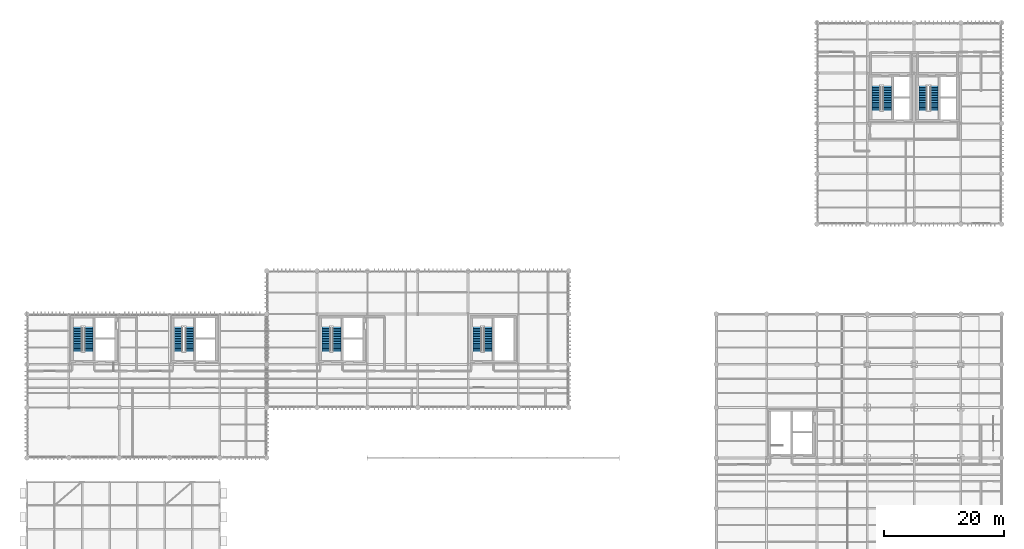
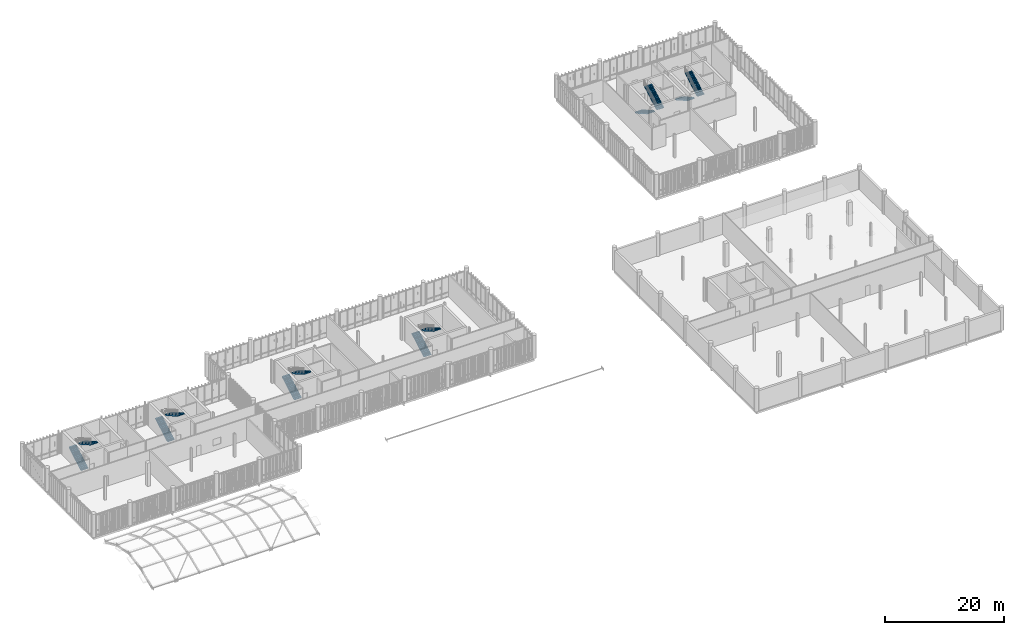
# One storey, part 83 of 94: 12 stair flights, 6 elements without a shape of their own.
"""IFC4 building model written with IfcOpenShell, lengths in metres."""

from ifc_helpers import new_model, si_unit, direction, frame, origin_with_axes, place, context, subcontext, project, spatial, polyline, outline, extrude, material, type_object, element, aggregate, save


model = new_model("IFC4")

# Units and contexts
model_context = context("Model", 3, precision=1e-05, world=origin_with_axes(), true_north=direction((0.0, 1.0)))
body_context = subcontext(model_context, "Body", "Model", "MODEL_VIEW")
ifc_project = project(units=[si_unit("LENGTHUNIT", "METRE"), si_unit("AREAUNIT", "SQUARE_METRE"), si_unit("VOLUMEUNIT", "CUBIC_METRE"), si_unit("PLANEANGLEUNIT", "RADIAN"), si_unit("MASSUNIT", "GRAM", prefix="KILO"), si_unit("THERMODYNAMICTEMPERATUREUNIT", "KELVIN")], contexts=[model_context])

# Site, building, storey
site_placement = place(None, origin_with_axes())
site = spatial("IfcSite", under=ifc_project, at=site_placement, CompositionType="ELEMENT")
building_placement = place(site_placement, origin_with_axes())
building = spatial("IfcBuilding", under=site, at=building_placement, Name="Montbau Bow Law Courts", CompositionType="ELEMENT")
storey_placement = place(building_placement, frame((0.0, 0.0, 15.6), z_axis=(0.0, 0.0, 1.0), x_axis=(1.0, 0.0, 0.0)))
storey = spatial("IfcBuildingStorey", under=building, at=storey_placement, Name="L03", CompositionType="ELEMENT", Elevation=15.6)

# Stair, stair flights
ifc_material = material(Name="Concrete CSA A23.1 f'c 40 MPa", Category="concrete")
stair_type_1 = type_object("IfcStairType", Name="ST-JUD-1500", PredefinedType="HALF_TURN_STAIR", material=ifc_material)
stair_1_placement = place(None, frame((32.065, 48.3, 15.6), z_axis=(0.0, 0.0, 1.0), x_axis=(1.0, 0.0, 0.0)))
stair_1 = element("IfcStair", 1, at=stair_1_placement, inside=storey, type_object=stair_type_1, Name="ST-J1-L03:str_0013", PredefinedType="HALF_TURN_STAIR")
stair_flight_type_1 = type_object("IfcStairFlightType", Name="SF-RC-1500B", PredefinedType="STRAIGHT", material=ifc_material)
stair_flight_1_placement = place(None, frame((32.065, 48.3, 15.6), z_axis=(0.0, 0.0, 1.0), x_axis=(0.0, 1.0, 0.0)))
stair_flight_1 = element("IfcStairFlight", 2, at=stair_flight_1_placement, type_object=stair_flight_type_1, Name="ST-J1-L03-F1:str_0013_F1", NumberOfRisers=15, NumberOfTreads=14, PredefinedType="STRAIGHT", RiserHeight=0.16, TreadLength=0.28, context=body_context, shape_type="SweptSolid", body=[
    extrude(outline(polyline([(0.0, 0.0), (0.0, 0.16), (0.28, 0.16), (0.28, 0.32), (0.56, 0.32), (0.56, 0.48), (0.84, 0.48), (0.84, 0.64), (1.12, 0.64), (1.12, 0.8), (1.4, 0.8), (1.4, 0.96), (1.68, 0.96), (1.68, 1.12), (1.96, 1.12), (1.96, 1.28), (2.24, 1.28), (2.24, 1.44), (2.52, 1.44), (2.52, 1.6), (2.8, 1.6), (2.8, 1.76), (3.08, 1.76), (3.08, 1.92), (3.36, 1.92), (3.36, 2.08), (3.64, 2.08), (3.64, 2.24), (3.92, 2.24), (3.92, 2.4), (4.2, 2.4), (4.2, 2.192685), (0.362802, 0.0), (0.0, 0.0)])), frame((0.0, 0.67, 0.0), z_axis=(0.0, -1.0, 0.0), x_axis=(1.0, 0.0, 0.0)), (0.0, 0.0, 1.0), 1.34),
])
stair_flight_2_placement = place(None, frame((33.96, 52.5, 18.0), z_axis=(0.0, 0.0, 1.0), x_axis=(0.0, -1.0, 0.0)))
stair_flight_2 = element("IfcStairFlight", 3, at=stair_flight_2_placement, type_object=stair_flight_type_1, Name="ST-J1-L03-F2:str_0013_F2", NumberOfRisers=15, NumberOfTreads=14, PredefinedType="STRAIGHT", RiserHeight=0.16, TreadLength=0.28, context=body_context, shape_type="SweptSolid", body=[
    extrude(outline(polyline([(0.0, 0.0), (0.0, 0.16), (0.28, 0.16), (0.28, 0.32), (0.56, 0.32), (0.56, 0.48), (0.84, 0.48), (0.84, 0.64), (1.12, 0.64), (1.12, 0.8), (1.4, 0.8), (1.4, 0.96), (1.68, 0.96), (1.68, 1.12), (1.96, 1.12), (1.96, 1.28), (2.24, 1.28), (2.24, 1.44), (2.52, 1.44), (2.52, 1.6), (2.8, 1.6), (2.8, 1.76), (3.08, 1.76), (3.08, 1.92), (3.36, 1.92), (3.36, 2.08), (3.64, 2.08), (3.64, 2.24), (3.92, 2.24), (3.92, 2.4), (4.2, 2.4), (4.2, 2.192685), (0.362802, 0.0), (0.0, 0.0)])), frame((0.0, 0.67, 0.0), z_axis=(0.0, -1.0, 0.0), x_axis=(1.0, 0.0, 0.0)), (0.0, 0.0, 1.0), 1.34),
])
aggregate(stair_1, [stair_flight_1, stair_flight_2])

stair_2_placement = place(None, frame((156.265, 92.7, 15.6), z_axis=(0.0, 0.0, 1.0), x_axis=(1.0, 0.0, 0.0)))
stair_2 = element("IfcStair", 4, at=stair_2_placement, inside=storey, type_object=stair_type_1, Name="ST-J2-L03:str_0048", PredefinedType="HALF_TURN_STAIR")
stair_flight_3_placement = place(None, frame((156.265, 92.7, 15.6), z_axis=(0.0, 0.0, 1.0), x_axis=(0.0, -1.0, 0.0)))
stair_flight_3 = element("IfcStairFlight", 5, at=stair_flight_3_placement, type_object=stair_flight_type_1, Name="ST-J2-L03-F1:str_0048_F1", NumberOfRisers=15, NumberOfTreads=14, PredefinedType="STRAIGHT", RiserHeight=0.16, TreadLength=0.28, context=body_context, shape_type="SweptSolid", body=[
    extrude(outline(polyline([(0.0, 0.0), (0.0, 0.16), (0.28, 0.16), (0.28, 0.32), (0.56, 0.32), (0.56, 0.48), (0.84, 0.48), (0.84, 0.64), (1.12, 0.64), (1.12, 0.8), (1.4, 0.8), (1.4, 0.96), (1.68, 0.96), (1.68, 1.12), (1.96, 1.12), (1.96, 1.28), (2.24, 1.28), (2.24, 1.44), (2.52, 1.44), (2.52, 1.6), (2.8, 1.6), (2.8, 1.76), (3.08, 1.76), (3.08, 1.92), (3.36, 1.92), (3.36, 2.08), (3.64, 2.08), (3.64, 2.24), (3.92, 2.24), (3.92, 2.4), (4.2, 2.4), (4.2, 2.192685), (0.362802, 0.0), (0.0, 0.0)])), frame((0.0, 0.67, 0.0), z_axis=(0.0, -1.0, 0.0), x_axis=(1.0, 0.0, 0.0)), (0.0, 0.0, 1.0), 1.34),
])
stair_flight_4_placement = place(None, frame((158.16, 88.5, 18.0), z_axis=(0.0, 0.0, 1.0), x_axis=(0.0, 1.0, 0.0)))
stair_flight_4 = element("IfcStairFlight", 6, at=stair_flight_4_placement, type_object=stair_flight_type_1, Name="ST-J2-L03-F2:str_0048_F2", NumberOfRisers=15, NumberOfTreads=14, PredefinedType="STRAIGHT", RiserHeight=0.16, TreadLength=0.28, context=body_context, shape_type="SweptSolid", body=[
    extrude(outline(polyline([(0.0, 0.0), (0.0, 0.16), (0.28, 0.16), (0.28, 0.32), (0.56, 0.32), (0.56, 0.48), (0.84, 0.48), (0.84, 0.64), (1.12, 0.64), (1.12, 0.8), (1.4, 0.8), (1.4, 0.96), (1.68, 0.96), (1.68, 1.12), (1.96, 1.12), (1.96, 1.28), (2.24, 1.28), (2.24, 1.44), (2.52, 1.44), (2.52, 1.6), (2.8, 1.6), (2.8, 1.76), (3.08, 1.76), (3.08, 1.92), (3.36, 1.92), (3.36, 2.08), (3.64, 2.08), (3.64, 2.24), (3.92, 2.24), (3.92, 2.4), (4.2, 2.4), (4.2, 2.192685), (0.362802, 0.0), (0.0, 0.0)])), frame((0.0, 0.67, 0.0), z_axis=(0.0, -1.0, 0.0), x_axis=(1.0, 0.0, 0.0)), (0.0, 0.0, 1.0), 1.34),
])
aggregate(stair_2, [stair_flight_3, stair_flight_4])

stair_type_2 = type_object("IfcStairType", Name="ST-PUB-1800", PredefinedType="HALF_TURN_STAIR", material=ifc_material)
stair_3_placement = place(None, frame((15.305, 48.3, 15.6), z_axis=(0.0, 0.0, 1.0), x_axis=(1.0, 0.0, 0.0)))
stair_3 = element("IfcStair", 7, at=stair_3_placement, inside=storey, type_object=stair_type_2, Name="ST-P1-L03:str_0005", PredefinedType="HALF_TURN_STAIR")
stair_flight_type_2 = type_object("IfcStairFlightType", Name="SF-RC-1800B", PredefinedType="STRAIGHT", material=ifc_material)
stair_flight_5_placement = place(None, frame((15.305, 48.3, 15.6), z_axis=(0.0, 0.0, 1.0), x_axis=(0.0, 1.0, 0.0)))
stair_flight_5 = element("IfcStairFlight", 8, at=stair_flight_5_placement, type_object=stair_flight_type_2, Name="ST-P1-L03-F1:str_0005_F1", NumberOfRisers=15, NumberOfTreads=14, PredefinedType="STRAIGHT", RiserHeight=0.16, TreadLength=0.28, context=body_context, shape_type="SweptSolid", body=[
    extrude(outline(polyline([(0.0, 0.0), (0.0, 0.16), (0.28, 0.16), (0.28, 0.32), (0.56, 0.32), (0.56, 0.48), (0.84, 0.48), (0.84, 0.64), (1.12, 0.64), (1.12, 0.8), (1.4, 0.8), (1.4, 0.96), (1.68, 0.96), (1.68, 1.12), (1.96, 1.12), (1.96, 1.28), (2.24, 1.28), (2.24, 1.44), (2.52, 1.44), (2.52, 1.6), (2.8, 1.6), (2.8, 1.76), (3.08, 1.76), (3.08, 1.92), (3.36, 1.92), (3.36, 2.08), (3.64, 2.08), (3.64, 2.24), (3.92, 2.24), (3.92, 2.4), (4.2, 2.4), (4.2, 2.192685), (0.362802, 0.0), (0.0, 0.0)])), frame((0.0, 0.71, 0.0), z_axis=(0.0, -1.0, 0.0), x_axis=(1.0, 0.0, 0.0)), (0.0, 0.0, 1.0), 1.42),
])
stair_flight_6_placement = place(None, frame((17.12, 52.5, 18.0), z_axis=(0.0, 0.0, 1.0), x_axis=(0.0, -1.0, 0.0)))
stair_flight_6 = element("IfcStairFlight", 9, at=stair_flight_6_placement, type_object=stair_flight_type_2, Name="ST-P1-L03-F2:str_0005_F2", NumberOfRisers=15, NumberOfTreads=14, PredefinedType="STRAIGHT", RiserHeight=0.16, TreadLength=0.28, context=body_context, shape_type="SweptSolid", body=[
    extrude(outline(polyline([(0.0, 0.0), (0.0, 0.16), (0.28, 0.16), (0.28, 0.32), (0.56, 0.32), (0.56, 0.48), (0.84, 0.48), (0.84, 0.64), (1.12, 0.64), (1.12, 0.8), (1.4, 0.8), (1.4, 0.96), (1.68, 0.96), (1.68, 1.12), (1.96, 1.12), (1.96, 1.28), (2.24, 1.28), (2.24, 1.44), (2.52, 1.44), (2.52, 1.6), (2.8, 1.6), (2.8, 1.76), (3.08, 1.76), (3.08, 1.92), (3.36, 1.92), (3.36, 2.08), (3.64, 2.08), (3.64, 2.24), (3.92, 2.24), (3.92, 2.4), (4.2, 2.4), (4.2, 2.192685), (0.362802, 0.0), (0.0, 0.0)])), frame((0.0, 0.71, 0.0), z_axis=(0.0, -1.0, 0.0), x_axis=(1.0, 0.0, 0.0)), (0.0, 0.0, 1.0), 1.42),
])
aggregate(stair_3, [stair_flight_5, stair_flight_6])

stair_4_placement = place(None, frame((56.705, 48.3, 15.6), z_axis=(0.0, 0.0, 1.0), x_axis=(1.0, 0.0, 0.0)))
stair_4 = element("IfcStair", 10, at=stair_4_placement, inside=storey, type_object=stair_type_2, Name="ST-P4-L03:str_0021", PredefinedType="HALF_TURN_STAIR")
stair_flight_7_placement = place(None, frame((56.705, 48.3, 15.6), z_axis=(0.0, 0.0, 1.0), x_axis=(0.0, 1.0, 0.0)))
stair_flight_7 = element("IfcStairFlight", 11, at=stair_flight_7_placement, type_object=stair_flight_type_2, Name="ST-P4-L03-F1:str_0021_F1", NumberOfRisers=15, NumberOfTreads=14, PredefinedType="STRAIGHT", RiserHeight=0.16, TreadLength=0.28, context=body_context, shape_type="SweptSolid", body=[
    extrude(outline(polyline([(0.0, 0.0), (0.0, 0.16), (0.28, 0.16), (0.28, 0.32), (0.56, 0.32), (0.56, 0.48), (0.84, 0.48), (0.84, 0.64), (1.12, 0.64), (1.12, 0.8), (1.4, 0.8), (1.4, 0.96), (1.68, 0.96), (1.68, 1.12), (1.96, 1.12), (1.96, 1.28), (2.24, 1.28), (2.24, 1.44), (2.52, 1.44), (2.52, 1.6), (2.8, 1.6), (2.8, 1.76), (3.08, 1.76), (3.08, 1.92), (3.36, 1.92), (3.36, 2.08), (3.64, 2.08), (3.64, 2.24), (3.92, 2.24), (3.92, 2.4), (4.2, 2.4), (4.2, 2.192685), (0.362802, 0.0), (0.0, 0.0)])), frame((0.0, 0.71, 0.0), z_axis=(0.0, -1.0, 0.0), x_axis=(1.0, 0.0, 0.0)), (0.0, 0.0, 1.0), 1.42),
])
stair_flight_8_placement = place(None, frame((58.52, 52.5, 18.0), z_axis=(0.0, 0.0, 1.0), x_axis=(0.0, -1.0, 0.0)))
stair_flight_8 = element("IfcStairFlight", 12, at=stair_flight_8_placement, type_object=stair_flight_type_2, Name="ST-P4-L03-F2:str_0021_F2", NumberOfRisers=15, NumberOfTreads=14, PredefinedType="STRAIGHT", RiserHeight=0.16, TreadLength=0.28, context=body_context, shape_type="SweptSolid", body=[
    extrude(outline(polyline([(0.0, 0.0), (0.0, 0.16), (0.28, 0.16), (0.28, 0.32), (0.56, 0.32), (0.56, 0.48), (0.84, 0.48), (0.84, 0.64), (1.12, 0.64), (1.12, 0.8), (1.4, 0.8), (1.4, 0.96), (1.68, 0.96), (1.68, 1.12), (1.96, 1.12), (1.96, 1.28), (2.24, 1.28), (2.24, 1.44), (2.52, 1.44), (2.52, 1.6), (2.8, 1.6), (2.8, 1.76), (3.08, 1.76), (3.08, 1.92), (3.36, 1.92), (3.36, 2.08), (3.64, 2.08), (3.64, 2.24), (3.92, 2.24), (3.92, 2.4), (4.2, 2.4), (4.2, 2.192685), (0.362802, 0.0), (0.0, 0.0)])), frame((0.0, 0.71, 0.0), z_axis=(0.0, -1.0, 0.0), x_axis=(1.0, 0.0, 0.0)), (0.0, 0.0, 1.0), 1.42),
])
aggregate(stair_4, [stair_flight_7, stair_flight_8])

stair_5_placement = place(None, frame((81.905, 48.3, 15.6), z_axis=(0.0, 0.0, 1.0), x_axis=(1.0, 0.0, 0.0)))
stair_5 = element("IfcStair", 13, at=stair_5_placement, inside=storey, type_object=stair_type_2, Name="ST-P3-L03:str_0029", PredefinedType="HALF_TURN_STAIR")
stair_flight_9_placement = place(None, frame((81.905, 48.3, 15.6), z_axis=(0.0, 0.0, 1.0), x_axis=(0.0, 1.0, 0.0)))
stair_flight_9 = element("IfcStairFlight", 14, at=stair_flight_9_placement, type_object=stair_flight_type_2, Name="ST-P3-L03-F1:str_0029_F1", NumberOfRisers=15, NumberOfTreads=14, PredefinedType="STRAIGHT", RiserHeight=0.16, TreadLength=0.28, context=body_context, shape_type="SweptSolid", body=[
    extrude(outline(polyline([(0.0, 0.0), (0.0, 0.16), (0.28, 0.16), (0.28, 0.32), (0.56, 0.32), (0.56, 0.48), (0.84, 0.48), (0.84, 0.64), (1.12, 0.64), (1.12, 0.8), (1.4, 0.8), (1.4, 0.96), (1.68, 0.96), (1.68, 1.12), (1.96, 1.12), (1.96, 1.28), (2.24, 1.28), (2.24, 1.44), (2.52, 1.44), (2.52, 1.6), (2.8, 1.6), (2.8, 1.76), (3.08, 1.76), (3.08, 1.92), (3.36, 1.92), (3.36, 2.08), (3.64, 2.08), (3.64, 2.24), (3.92, 2.24), (3.92, 2.4), (4.2, 2.4), (4.2, 2.192685), (0.362802, 0.0), (0.0, 0.0)])), frame((0.0, 0.71, 0.0), z_axis=(0.0, -1.0, 0.0), x_axis=(1.0, 0.0, 0.0)), (0.0, 0.0, 1.0), 1.42),
])
stair_flight_10_placement = place(None, frame((83.72, 52.5, 18.0), z_axis=(0.0, 0.0, 1.0), x_axis=(0.0, -1.0, 0.0)))
stair_flight_10 = element("IfcStairFlight", 15, at=stair_flight_10_placement, type_object=stair_flight_type_2, Name="ST-P3-L03-F2:str_0029_F2", NumberOfRisers=15, NumberOfTreads=14, PredefinedType="STRAIGHT", RiserHeight=0.16, TreadLength=0.28, context=body_context, shape_type="SweptSolid", body=[
    extrude(outline(polyline([(0.0, 0.0), (0.0, 0.16), (0.28, 0.16), (0.28, 0.32), (0.56, 0.32), (0.56, 0.48), (0.84, 0.48), (0.84, 0.64), (1.12, 0.64), (1.12, 0.8), (1.4, 0.8), (1.4, 0.96), (1.68, 0.96), (1.68, 1.12), (1.96, 1.12), (1.96, 1.28), (2.24, 1.28), (2.24, 1.44), (2.52, 1.44), (2.52, 1.6), (2.8, 1.6), (2.8, 1.76), (3.08, 1.76), (3.08, 1.92), (3.36, 1.92), (3.36, 2.08), (3.64, 2.08), (3.64, 2.24), (3.92, 2.24), (3.92, 2.4), (4.2, 2.4), (4.2, 2.192685), (0.362802, 0.0), (0.0, 0.0)])), frame((0.0, 0.71, 0.0), z_axis=(0.0, -1.0, 0.0), x_axis=(1.0, 0.0, 0.0)), (0.0, 0.0, 1.0), 1.42),
])
aggregate(stair_5, [stair_flight_9, stair_flight_10])

stair_6_placement = place(None, frame((148.505, 92.7, 15.6), z_axis=(0.0, 0.0, 1.0), x_axis=(1.0, 0.0, 0.0)))
stair_6 = element("IfcStair", 16, at=stair_6_placement, inside=storey, type_object=stair_type_2, Name="ST-P2-L03:str_0037", PredefinedType="HALF_TURN_STAIR")
stair_flight_11_placement = place(None, frame((148.505, 92.7, 15.6), z_axis=(0.0, 0.0, 1.0), x_axis=(0.0, -1.0, 0.0)))
stair_flight_11 = element("IfcStairFlight", 17, at=stair_flight_11_placement, type_object=stair_flight_type_2, Name="ST-P2-L03-F1:str_0037_F1", NumberOfRisers=15, NumberOfTreads=14, PredefinedType="STRAIGHT", RiserHeight=0.16, TreadLength=0.28, context=body_context, shape_type="SweptSolid", body=[
    extrude(outline(polyline([(0.0, 0.0), (0.0, 0.16), (0.28, 0.16), (0.28, 0.32), (0.56, 0.32), (0.56, 0.48), (0.84, 0.48), (0.84, 0.64), (1.12, 0.64), (1.12, 0.8), (1.4, 0.8), (1.4, 0.96), (1.68, 0.96), (1.68, 1.12), (1.96, 1.12), (1.96, 1.28), (2.24, 1.28), (2.24, 1.44), (2.52, 1.44), (2.52, 1.6), (2.8, 1.6), (2.8, 1.76), (3.08, 1.76), (3.08, 1.92), (3.36, 1.92), (3.36, 2.08), (3.64, 2.08), (3.64, 2.24), (3.92, 2.24), (3.92, 2.4), (4.2, 2.4), (4.2, 2.192685), (0.362802, 0.0), (0.0, 0.0)])), frame((0.0, 0.71, 0.0), z_axis=(0.0, -1.0, 0.0), x_axis=(1.0, 0.0, 0.0)), (0.0, 0.0, 1.0), 1.42),
])
stair_flight_12_placement = place(None, frame((150.32, 88.5, 18.0), z_axis=(0.0, 0.0, 1.0), x_axis=(0.0, 1.0, 0.0)))
stair_flight_12 = element("IfcStairFlight", 18, at=stair_flight_12_placement, type_object=stair_flight_type_2, Name="ST-P2-L03-F2:str_0037_F2", NumberOfRisers=15, NumberOfTreads=14, PredefinedType="STRAIGHT", RiserHeight=0.16, TreadLength=0.28, context=body_context, shape_type="SweptSolid", body=[
    extrude(outline(polyline([(0.0, 0.0), (0.0, 0.16), (0.28, 0.16), (0.28, 0.32), (0.56, 0.32), (0.56, 0.48), (0.84, 0.48), (0.84, 0.64), (1.12, 0.64), (1.12, 0.8), (1.4, 0.8), (1.4, 0.96), (1.68, 0.96), (1.68, 1.12), (1.96, 1.12), (1.96, 1.28), (2.24, 1.28), (2.24, 1.44), (2.52, 1.44), (2.52, 1.6), (2.8, 1.6), (2.8, 1.76), (3.08, 1.76), (3.08, 1.92), (3.36, 1.92), (3.36, 2.08), (3.64, 2.08), (3.64, 2.24), (3.92, 2.24), (3.92, 2.4), (4.2, 2.4), (4.2, 2.192685), (0.362802, 0.0), (0.0, 0.0)])), frame((0.0, 0.71, 0.0), z_axis=(0.0, -1.0, 0.0), x_axis=(1.0, 0.0, 0.0)), (0.0, 0.0, 1.0), 1.42),
])
aggregate(stair_6, [stair_flight_11, stair_flight_12])

save(model, "model.ifc")
